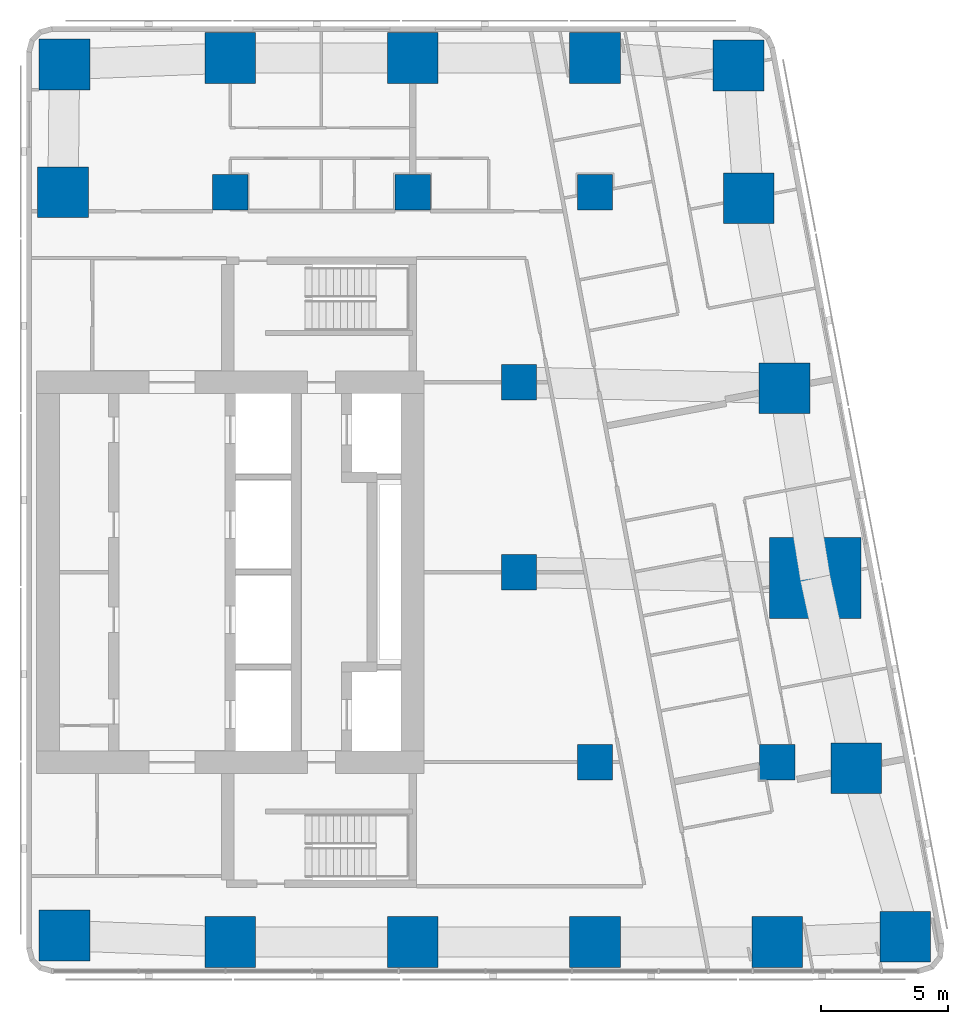
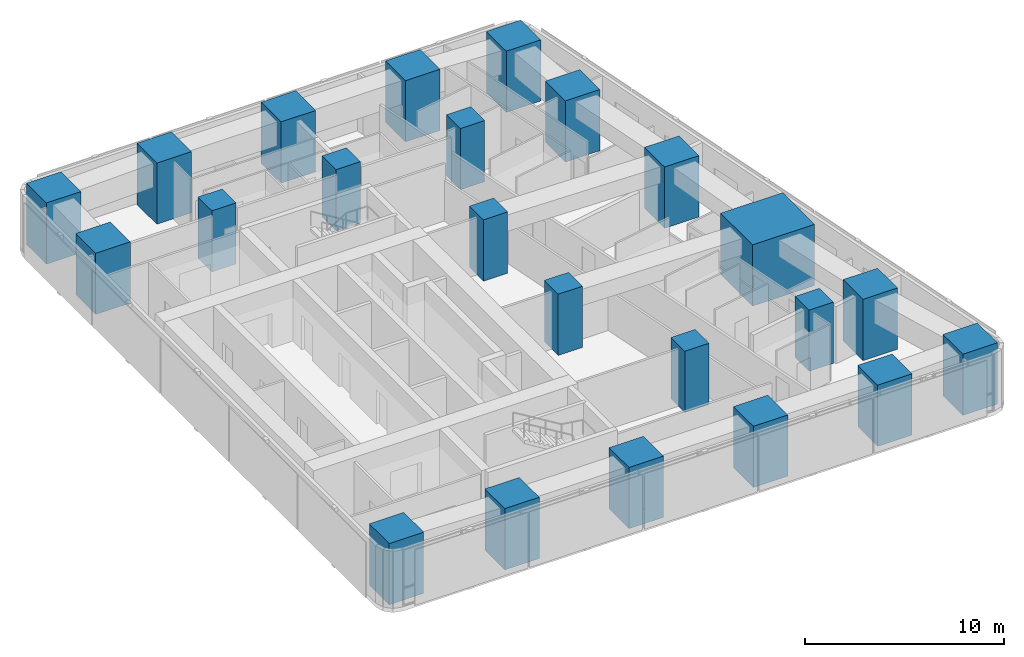
# One storey, part 1 of 11: 23 columns.
"""IFC4 building model written with IfcOpenShell, lengths in metres."""

from ifc_helpers import new_model, si_unit, direction, frame, origin, origin_2d, place, context, subcontext, project, spatial, rectangle, extrude, material, material_profile, profile_set, type_object, element, save


model = new_model("IFC4")

# Units and contexts
model_context = context("Model", 3, precision=1e-05, world=origin(), true_north=direction((0.0, 1.0)))
body_context = subcontext(model_context, "Body", "Model", "MODEL_VIEW")
ifc_project = project(units=[si_unit("LENGTHUNIT", "METRE"), si_unit("AREAUNIT", "SQUARE_METRE"), si_unit("VOLUMEUNIT", "CUBIC_METRE"), si_unit("PLANEANGLEUNIT", "RADIAN"), si_unit("MASSUNIT", "GRAM", prefix="KILO")], contexts=[model_context])

# Site, building, storey
site_placement = place(None, origin())
site = spatial("IfcSite", under=ifc_project, at=site_placement, CompositionType="ELEMENT")
building_placement = place(site_placement, origin())
building = spatial("IfcBuilding", under=site, at=building_placement, Name="Sheger Commons Tower", CompositionType="ELEMENT")
storey_placement = place(building_placement, frame((0.0, 0.0, 281.60009765625)))
storey = spatial("IfcBuildingStorey", under=building, at=storey_placement, Name="L72", CompositionType="ELEMENT", Elevation=281.60009765625)

# Columns
ifc_material_1 = material(Name="Concrete C50/60", Category="concrete")
ifc_material_profile_1 = material_profile(ifc_material_1, rectangle(XDim=3.60009765625, YDim=3.199951171875, at=origin_2d()), Name="RC 3600x3200")
ifc_profile_set_1 = profile_set([ifc_material_profile_1], Name="Concrete C50/60")
column_type_1 = type_object("IfcColumnType", Name="COLUMN PIER RC 3600x3200", PredefinedType="COLUMN", material=ifc_profile_set_1)
column_placement = place(storey_placement, frame((44.697021484375, 22.262939453125, 0.0), z_axis=(0.0, 0.0, 1.0), x_axis=(1.0, 0.0, 0.0)))
element("IfcColumn", 1, at=column_placement, inside=storey, type_object=column_type_1, Name="Pier 7/D+E/D L72", PredefinedType="COLUMN", context=body_context, shape_type="SweptSolid", body=[
    extrude(rectangle(XDim=3.60009765625, YDim=3.199951171875, at=origin_2d()), origin(), (0.0, 0.0, 1.0), 3.75),
])
ifc_material_2 = material(Name="Concrete C50/60", Category="concrete")
ifc_material_profile_2 = material_profile(ifc_material_2, rectangle(XDim=1.39990234375, YDim=1.39990234375, at=origin_2d()), Name="RC 1400x1400")
ifc_profile_set_2 = profile_set([ifc_material_profile_2], Name="Concrete C50/60")
column_type_2 = type_object("IfcColumnType", Name="COLUMN RC 1400x1400", PredefinedType="COLUMN", material=ifc_profile_set_2)
for number, where, z_axis, x_axis, name in (
    (2, (36.0, 15.0, 0.0), (0.0, 0.0, 1.0), (1.0, 0.0, 0.0), "Column 6/C L72"),
    (3, (43.199951171875, 15.0, 0.0), (0.0, 0.0, 1.0), (1.0, 0.0, 0.0), "Column 7/C L72"),
    (4, (33.0, 22.5, 0.0), (0.0, 0.0, 1.0), (1.0, 0.0, 0.0), "Column 6-3000/D L72"),
    (5, (33.0, 30.0, 0.0), (0.0, 0.0, 1.0), (1.0, 0.0, 0.0), "Column 6-3000/E L72"),
    (6, (21.60009765625, 37.5, 0.0), (0.0, 0.0, 1.0), (1.0, 0.0, 0.0), "Column 4/F L72"),
    (7, (28.800048828125, 37.5, 0.0), (0.0, 0.0, 1.0), (1.0, 0.0, 0.0), "Column 5/F L72"),
    (8, (36.0, 37.5, 0.0), (0.0, 0.0, 1.0), (1.0, 0.0, 0.0), "Column 6/F L72"),
):
    element("IfcColumn", number, at=place(storey_placement, frame(where, z_axis=z_axis, x_axis=x_axis)), inside=storey, type_object=column_type_2, Name=name, PredefinedType="COLUMN", context=body_context, shape_type="SweptSolid", body=[
        extrude(rectangle(XDim=1.39990234375, YDim=1.39990234375, at=origin_2d()), origin(), (0.0, 0.0, 1.0), 3.75),
    ])
ifc_material_3 = material(Name="Concrete C50/60", Category="concrete")
ifc_material_profile_3 = material_profile(ifc_material_3, rectangle(XDim=2.0, YDim=2.0, at=origin_2d()), Name="RC 2000x2000")
ifc_profile_set_3 = profile_set([ifc_material_profile_3], Name="Concrete C50/60")
column_type_3 = type_object("IfcColumnType", Name="COLUMN RC 2000x2000", PredefinedType="COLUMN", material=ifc_profile_set_3)
for number, where, z_axis, x_axis, name in (
    (9, (15.053955078125, 8.154052734375, 0.0), (0.0, 0.0, 1.0), (1.0, 0.0, 0.0), "Column 3/B L72"),
    (10, (21.60009765625, 7.89990234375, 0.0), (0.0, 0.0, 1.0), (1.0, 0.0, 0.0), "Column 4/B L72"),
    (11, (28.800048828125, 7.89990234375, 0.0), (0.0, 0.0, 1.0), (1.0, 0.0, 0.0), "Column 5/B L72"),
    (12, (36.0, 7.89990234375, 0.0), (0.0, 0.0, 1.0), (1.0, 0.0, 0.0), "Column 6/B L72"),
    (13, (43.199951171875, 7.89990234375, 0.0), (0.0, 0.0, 1.0), (1.0, 0.0, 0.0), "Column 7/B L72"),
    (14, (48.251953125, 8.10693359375, 0.0), (0.0, 0.0, 1.0), (1.0, 0.0, 0.0), "Column E/B L72"),
    (15, (46.31396484375, 14.762939453125, 0.0), (0.0, 0.0, 1.0), (1.0, 0.0, 0.0), "Column E/C L72"),
    (16, (43.47998046875, 29.762939453125, 0.0), (0.0, 0.0, 1.0), (1.0, 0.0, 0.0), "Column E/E L72"),
    (17, (15.0, 37.5, 0.0), (0.0, 0.0, 1.0), (1.0, 0.0, 0.0), "Column 3/F L72"),
    (18, (42.06396484375, 37.262939453125, 0.0), (0.0, 0.0, 1.0), (1.0, 0.0, 0.0), "Column E/F L72"),
    (19, (15.053955078125, 42.5458984375, 0.0), (0.0, 0.0, 1.0), (1.0, 0.0, 0.0), "Column 3/G-1.8 L72"),
    (20, (21.60009765625, 42.800048828125, 0.0), (0.0, 0.0, 1.0), (1.0, 0.0, 0.0), "Column 4/G-1.8 L72"),
    (21, (28.800048828125, 42.800048828125, 0.0), (0.0, 0.0, 1.0), (1.0, 0.0, 0.0), "Column 5/G-1.8 L72"),
    (22, (36.0, 42.800048828125, 0.0), (0.0, 0.0, 1.0), (1.0, 0.0, 0.0), "Column 6/G-1.8 L72"),
    (23, (41.6669921875, 42.506103515625, 0.0), (0.0, 0.0, 1.0), (1.0, 0.0, 0.0), "Column E/G-1.8 L72"),
):
    element("IfcColumn", number, at=place(storey_placement, frame(where, z_axis=z_axis, x_axis=x_axis)), inside=storey, type_object=column_type_3, Name=name, PredefinedType="COLUMN", context=body_context, shape_type="SweptSolid", body=[
        extrude(rectangle(XDim=2.0, YDim=2.0, at=origin_2d()), origin(), (0.0, 0.0, 1.0), 3.75),
    ])

save(model, "model.ifc")
